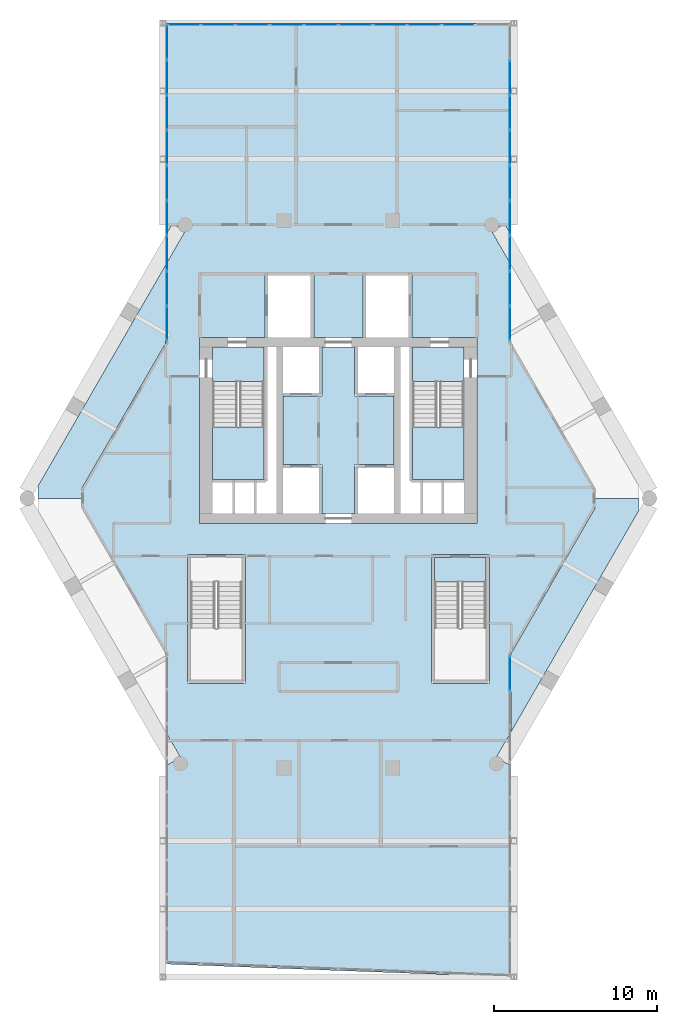
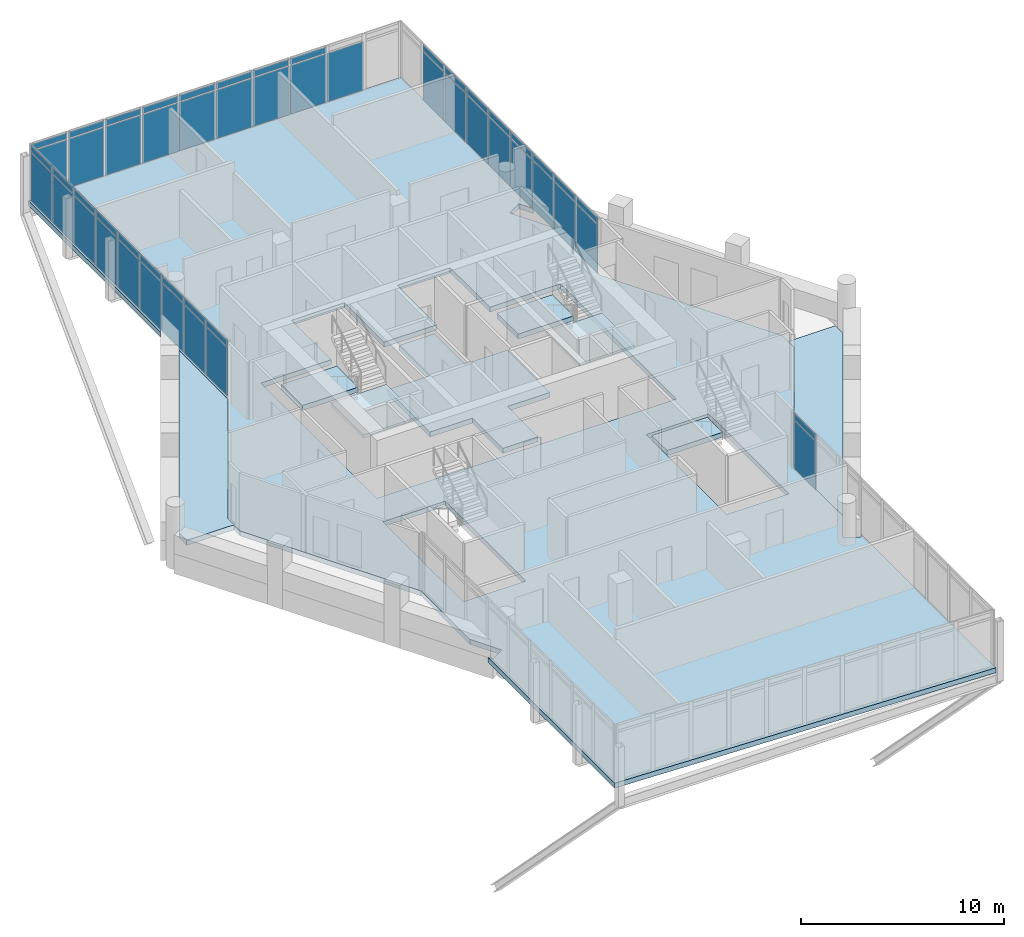
# One storey, part 27 of 34: 53 plates, 9 slabs, 6 elements without a shape of their own.
"""IFC4 building model written with IfcOpenShell, lengths in metres."""

from ifc_helpers import new_model, si_unit, direction, frame, origin, origin_2d, place, context, subcontext, project, spatial, polyline, rectangle, outline, extrude, material, layer, layer_set, type_object, element, aggregate, save


model = new_model("IFC4")

# Units and contexts
model_context = context("Model", 3, precision=1e-05, world=origin(), true_north=direction((0.0, 1.0)))
body_context = subcontext(model_context, "Body", "Model", "MODEL_VIEW")
ifc_project = project(units=[si_unit("LENGTHUNIT", "METRE"), si_unit("AREAUNIT", "SQUARE_METRE"), si_unit("VOLUMEUNIT", "CUBIC_METRE"), si_unit("PLANEANGLEUNIT", "RADIAN"), si_unit("MASSUNIT", "GRAM", prefix="KILO")], contexts=[model_context])

# Site, building, storey
site_placement = place(None, origin())
site = spatial("IfcSite", under=ifc_project, at=site_placement, CompositionType="ELEMENT")
building_placement = place(site_placement, origin())
building = spatial("IfcBuilding", under=site, at=building_placement, Name="Ostrander Bayou Hotel Tower", CompositionType="ELEMENT")
storey_placement = place(building_placement, frame((0.0, 0.0, 222.0)))
storey = spatial("IfcBuildingStorey", under=building, at=storey_placement, Name="L55", CompositionType="ELEMENT", Elevation=222.0)

# Curtain wall, plates
ifc_material_1 = material(Name="Aluminium and clear glass", Category="aluminium")
curtain_wall_type = type_object("IfcCurtainWallType", Name="CW-BAR glazed wall", PredefinedType="NOTDEFINED", material=ifc_material_1)
curtain_wall_1_placement = place(storey_placement, origin())
curtain_wall_1 = element("IfcCurtainWall", 1, at=curtain_wall_1_placement, inside=storey, type_object=curtain_wall_type, Name="CW-BAR L55:SB5S:W", PredefinedType="NOTDEFINED")
ifc_material_2 = material(Name="Clear laminated glass", Category="glass")
ifc_layer_1 = layer(ifc_material_2, 0.028076171875)
ifc_layer_set_1 = layer_set([ifc_layer_1], Name="CW-BR glazing panel 28 mm")
plate_type = type_object("IfcPlateType", Name="CW-BR glazing panel 28 mm", PredefinedType="CURTAIN_PANEL", material=ifc_layer_set_1)
plate_1_placement = place(storey_placement, frame((10.51220703125, -10.896484375, 0.06005859375), z_axis=(0.0, 0.0, 1.0), x_axis=(0.0, -1.0, 0.0)))
plate_1 = element("IfcPlate", 2, at=plate_1_placement, type_object=plate_type, Name="CW-BAR panel 1.1", PredefinedType="CURTAIN_PANEL", context=body_context, shape_type="SweptSolid", body=[
    extrude(rectangle(XDim=2.08837890625, YDim=0.028076171875, at=origin_2d()), origin(), (0.0, 0.0, 1.0), 2.909912109375),
])
plate_2_placement = place(storey_placement, frame((10.51220703125, -10.896484375, 3.02978515625), z_axis=(0.0, 0.0, 1.0), x_axis=(0.0, -1.0, 0.0)))
plate_2 = element("IfcPlate", 3, at=plate_2_placement, type_object=plate_type, Name="CW-BAR panel 1.2", PredefinedType="CURTAIN_PANEL", context=body_context, shape_type="SweptSolid", body=[
    extrude(rectangle(XDim=2.08837890625, YDim=0.028076171875, at=origin_2d()), origin(), (0.0, 0.0, 1.0), 0.360107421875),
])
aggregate(curtain_wall_1, [plate_1, plate_2])

curtain_wall_2_placement = place(storey_placement, origin())
curtain_wall_2 = element("IfcCurtainWall", 4, at=curtain_wall_2_placement, inside=storey, type_object=curtain_wall_type, Name="CW-BAR L55:SB5N:E", PredefinedType="NOTDEFINED")
plate_3_placement = place(storey_placement, frame((-10.51220703125, 10.557861328125, 0.06005859375), z_axis=(0.0, 0.0, 1.0), x_axis=(0.0, 1.0, 0.0)))
plate_3 = element("IfcPlate", 5, at=plate_3_placement, type_object=plate_type, Name="CW-BAR panel 1.1", PredefinedType="CURTAIN_PANEL", context=body_context, shape_type="SweptSolid", body=[
    extrude(rectangle(XDim=2.065673828125, YDim=0.028076171875, at=origin_2d()), origin(), (0.0, 0.0, 1.0), 2.909912109375),
])
plate_4_placement = place(storey_placement, frame((-10.51220703125, 10.557861328125, 3.02978515625), z_axis=(0.0, 0.0, 1.0), x_axis=(0.0, 1.0, 0.0)))
plate_4 = element("IfcPlate", 6, at=plate_4_placement, type_object=plate_type, Name="CW-BAR panel 1.2", PredefinedType="CURTAIN_PANEL", context=body_context, shape_type="SweptSolid", body=[
    extrude(rectangle(XDim=2.065673828125, YDim=0.028076171875, at=origin_2d()), origin(), (0.0, 0.0, 1.0), 0.360107421875),
])
plate_5_placement = place(storey_placement, frame((-10.51220703125, 12.698486328125, 0.06005859375), z_axis=(0.0, 0.0, 1.0), x_axis=(0.0, 1.0, 0.0)))
plate_5 = element("IfcPlate", 7, at=plate_5_placement, type_object=plate_type, Name="CW-BAR panel 2.1", PredefinedType="CURTAIN_PANEL", context=body_context, shape_type="SweptSolid", body=[
    extrude(rectangle(XDim=2.095703125, YDim=0.028076171875, at=origin_2d()), origin(), (0.0, 0.0, 1.0), 2.909912109375),
])
plate_6_placement = place(storey_placement, frame((-10.51220703125, 12.698486328125, 3.02978515625), z_axis=(0.0, 0.0, 1.0), x_axis=(0.0, 1.0, 0.0)))
plate_6 = element("IfcPlate", 8, at=plate_6_placement, type_object=plate_type, Name="CW-BAR panel 2.2", PredefinedType="CURTAIN_PANEL", context=body_context, shape_type="SweptSolid", body=[
    extrude(rectangle(XDim=2.095703125, YDim=0.028076171875, at=origin_2d()), origin(), (0.0, 0.0, 1.0), 0.360107421875),
])
plate_7_placement = place(storey_placement, frame((-10.51220703125, 14.854248046875, 0.06005859375), z_axis=(0.0, 0.0, 1.0), x_axis=(0.0, 1.0, 0.0)))
plate_7 = element("IfcPlate", 9, at=plate_7_placement, type_object=plate_type, Name="CW-BAR panel 3.1", PredefinedType="CURTAIN_PANEL", context=body_context, shape_type="SweptSolid", body=[
    extrude(rectangle(XDim=2.095703125, YDim=0.028076171875, at=origin_2d()), origin(), (0.0, 0.0, 1.0), 2.909912109375),
])
plate_8_placement = place(storey_placement, frame((-10.51220703125, 14.854248046875, 3.02978515625), z_axis=(0.0, 0.0, 1.0), x_axis=(0.0, 1.0, 0.0)))
plate_8 = element("IfcPlate", 10, at=plate_8_placement, type_object=plate_type, Name="CW-BAR panel 3.2", PredefinedType="CURTAIN_PANEL", context=body_context, shape_type="SweptSolid", body=[
    extrude(rectangle(XDim=2.095703125, YDim=0.028076171875, at=origin_2d()), origin(), (0.0, 0.0, 1.0), 0.360107421875),
])
plate_9_placement = place(storey_placement, frame((-10.51220703125, 17.010009765625, 0.06005859375), z_axis=(0.0, 0.0, 1.0), x_axis=(0.0, 1.0, 0.0)))
plate_9 = element("IfcPlate", 11, at=plate_9_placement, type_object=plate_type, Name="CW-BAR panel 4.1", PredefinedType="CURTAIN_PANEL", context=body_context, shape_type="SweptSolid", body=[
    extrude(rectangle(XDim=2.095703125, YDim=0.028076171875, at=origin_2d()), origin(), (0.0, 0.0, 1.0), 2.909912109375),
])
plate_10_placement = place(storey_placement, frame((-10.51220703125, 17.010009765625, 3.02978515625), z_axis=(0.0, 0.0, 1.0), x_axis=(0.0, 1.0, 0.0)))
plate_10 = element("IfcPlate", 12, at=plate_10_placement, type_object=plate_type, Name="CW-BAR panel 4.2", PredefinedType="CURTAIN_PANEL", context=body_context, shape_type="SweptSolid", body=[
    extrude(rectangle(XDim=2.095703125, YDim=0.028076171875, at=origin_2d()), origin(), (0.0, 0.0, 1.0), 0.360107421875),
])
plate_11_placement = place(storey_placement, frame((-10.51220703125, 19.165771484375, 0.06005859375), z_axis=(0.0, 0.0, 1.0), x_axis=(0.0, 1.0, 0.0)))
plate_11 = element("IfcPlate", 13, at=plate_11_placement, type_object=plate_type, Name="CW-BAR panel 5.1", PredefinedType="CURTAIN_PANEL", context=body_context, shape_type="SweptSolid", body=[
    extrude(rectangle(XDim=2.095703125, YDim=0.028076171875, at=origin_2d()), origin(), (0.0, 0.0, 1.0), 2.909912109375),
])
plate_12_placement = place(storey_placement, frame((-10.51220703125, 19.165771484375, 3.02978515625), z_axis=(0.0, 0.0, 1.0), x_axis=(0.0, 1.0, 0.0)))
plate_12 = element("IfcPlate", 14, at=plate_12_placement, type_object=plate_type, Name="CW-BAR panel 5.2", PredefinedType="CURTAIN_PANEL", context=body_context, shape_type="SweptSolid", body=[
    extrude(rectangle(XDim=2.095703125, YDim=0.028076171875, at=origin_2d()), origin(), (0.0, 0.0, 1.0), 0.360107421875),
])
plate_13_placement = place(storey_placement, frame((-10.51220703125, 21.321533203125, 0.06005859375), z_axis=(0.0, 0.0, 1.0), x_axis=(0.0, 1.0, 0.0)))
plate_13 = element("IfcPlate", 15, at=plate_13_placement, type_object=plate_type, Name="CW-BAR panel 6.1", PredefinedType="CURTAIN_PANEL", context=body_context, shape_type="SweptSolid", body=[
    extrude(rectangle(XDim=2.095703125, YDim=0.028076171875, at=origin_2d()), origin(), (0.0, 0.0, 1.0), 2.909912109375),
])
plate_14_placement = place(storey_placement, frame((-10.51220703125, 21.321533203125, 3.02978515625), z_axis=(0.0, 0.0, 1.0), x_axis=(0.0, 1.0, 0.0)))
plate_14 = element("IfcPlate", 16, at=plate_14_placement, type_object=plate_type, Name="CW-BAR panel 6.2", PredefinedType="CURTAIN_PANEL", context=body_context, shape_type="SweptSolid", body=[
    extrude(rectangle(XDim=2.095703125, YDim=0.028076171875, at=origin_2d()), origin(), (0.0, 0.0, 1.0), 0.360107421875),
])
plate_15_placement = place(storey_placement, frame((-10.51220703125, 23.477294921875, 0.06005859375), z_axis=(0.0, 0.0, 1.0), x_axis=(0.0, 1.0, 0.0)))
plate_15 = element("IfcPlate", 17, at=plate_15_placement, type_object=plate_type, Name="CW-BAR panel 7.1", PredefinedType="CURTAIN_PANEL", context=body_context, shape_type="SweptSolid", body=[
    extrude(rectangle(XDim=2.095703125, YDim=0.028076171875, at=origin_2d()), origin(), (0.0, 0.0, 1.0), 2.909912109375),
])
plate_16_placement = place(storey_placement, frame((-10.51220703125, 23.477294921875, 3.02978515625), z_axis=(0.0, 0.0, 1.0), x_axis=(0.0, 1.0, 0.0)))
plate_16 = element("IfcPlate", 18, at=plate_16_placement, type_object=plate_type, Name="CW-BAR panel 7.2", PredefinedType="CURTAIN_PANEL", context=body_context, shape_type="SweptSolid", body=[
    extrude(rectangle(XDim=2.095703125, YDim=0.028076171875, at=origin_2d()), origin(), (0.0, 0.0, 1.0), 0.360107421875),
])
plate_17_placement = place(storey_placement, frame((-10.51220703125, 25.633056640625, 0.06005859375), z_axis=(0.0, 0.0, 1.0), x_axis=(0.0, 1.0, 0.0)))
plate_17 = element("IfcPlate", 19, at=plate_17_placement, type_object=plate_type, Name="CW-BAR panel 8.1", PredefinedType="CURTAIN_PANEL", context=body_context, shape_type="SweptSolid", body=[
    extrude(rectangle(XDim=2.095703125, YDim=0.028076171875, at=origin_2d()), origin(), (0.0, 0.0, 1.0), 2.909912109375),
])
plate_18_placement = place(storey_placement, frame((-10.51220703125, 25.633056640625, 3.02978515625), z_axis=(0.0, 0.0, 1.0), x_axis=(0.0, 1.0, 0.0)))
plate_18 = element("IfcPlate", 20, at=plate_18_placement, type_object=plate_type, Name="CW-BAR panel 8.2", PredefinedType="CURTAIN_PANEL", context=body_context, shape_type="SweptSolid", body=[
    extrude(rectangle(XDim=2.095703125, YDim=0.028076171875, at=origin_2d()), origin(), (0.0, 0.0, 1.0), 0.360107421875),
])
plate_19_placement = place(storey_placement, frame((-10.51220703125, 27.773681640625, 0.06005859375), z_axis=(0.0, 0.0, 1.0), x_axis=(0.0, 1.0, 0.0)))
plate_19 = element("IfcPlate", 21, at=plate_19_placement, type_object=plate_type, Name="CW-BAR panel 9.1", PredefinedType="CURTAIN_PANEL", context=body_context, shape_type="SweptSolid", body=[
    extrude(rectangle(XDim=2.065673828125, YDim=0.028076171875, at=origin_2d()), origin(), (0.0, 0.0, 1.0), 2.909912109375),
])
plate_20_placement = place(storey_placement, frame((-10.51220703125, 27.773681640625, 3.02978515625), z_axis=(0.0, 0.0, 1.0), x_axis=(0.0, 1.0, 0.0)))
plate_20 = element("IfcPlate", 22, at=plate_20_placement, type_object=plate_type, Name="CW-BAR panel 9.2", PredefinedType="CURTAIN_PANEL", context=body_context, shape_type="SweptSolid", body=[
    extrude(rectangle(XDim=2.065673828125, YDim=0.028076171875, at=origin_2d()), origin(), (0.0, 0.0, 1.0), 0.360107421875),
])
aggregate(curtain_wall_2, [plate_3, plate_4, plate_5, plate_6, plate_7, plate_8, plate_9, plate_10, plate_11, plate_12, plate_13, plate_14, plate_15, plate_16, plate_17, plate_18, plate_19, plate_20])

curtain_wall_3_placement = place(storey_placement, origin())
curtain_wall_3 = element("IfcCurtainWall", 23, at=curtain_wall_3_placement, inside=storey, type_object=curtain_wall_type, Name="CW-BAR L55:SB5N:T", PredefinedType="NOTDEFINED")
plate_21_placement = place(storey_placement, frame((-9.446044921875, 28.86669921875, 0.06005859375), z_axis=(0.0, 0.0, 1.0), x_axis=(1.0, 0.0, 0.0)))
plate_21 = element("IfcPlate", 24, at=plate_21_placement, type_object=plate_type, Name="CW-BAR panel 1.1", PredefinedType="CURTAIN_PANEL", context=body_context, shape_type="SweptSolid", body=[
    extrude(rectangle(XDim=2.012451171875, YDim=0.028076171875, at=origin_2d()), origin(), (0.0, 0.0, 1.0), 2.909912109375),
])
plate_22_placement = place(storey_placement, frame((-9.446044921875, 28.86669921875, 3.02978515625), z_axis=(0.0, 0.0, 1.0), x_axis=(1.0, 0.0, 0.0)))
plate_22 = element("IfcPlate", 25, at=plate_22_placement, type_object=plate_type, Name="CW-BAR panel 1.2", PredefinedType="CURTAIN_PANEL", context=body_context, shape_type="SweptSolid", body=[
    extrude(rectangle(XDim=2.012451171875, YDim=0.028076171875, at=origin_2d()), origin(), (0.0, 0.0, 1.0), 0.360107421875),
])
plate_23_placement = place(storey_placement, frame((-7.358642578125, 28.86669921875, 0.06005859375), z_axis=(0.0, 0.0, 1.0), x_axis=(1.0, 0.0, 0.0)))
plate_23 = element("IfcPlate", 26, at=plate_23_placement, type_object=plate_type, Name="CW-BAR panel 2.1", PredefinedType="CURTAIN_PANEL", context=body_context, shape_type="SweptSolid", body=[
    extrude(rectangle(XDim=2.04248046875, YDim=0.028076171875, at=origin_2d()), origin(), (0.0, 0.0, 1.0), 2.909912109375),
])
plate_24_placement = place(storey_placement, frame((-7.358642578125, 28.86669921875, 3.02978515625), z_axis=(0.0, 0.0, 1.0), x_axis=(1.0, 0.0, 0.0)))
plate_24 = element("IfcPlate", 27, at=plate_24_placement, type_object=plate_type, Name="CW-BAR panel 2.2", PredefinedType="CURTAIN_PANEL", context=body_context, shape_type="SweptSolid", body=[
    extrude(rectangle(XDim=2.04248046875, YDim=0.028076171875, at=origin_2d()), origin(), (0.0, 0.0, 1.0), 0.360107421875),
])
plate_25_placement = place(storey_placement, frame((-5.256103515625, 28.86669921875, 0.06005859375), z_axis=(0.0, 0.0, 1.0), x_axis=(1.0, 0.0, 0.0)))
plate_25 = element("IfcPlate", 28, at=plate_25_placement, type_object=plate_type, Name="CW-BAR panel 3.1", PredefinedType="CURTAIN_PANEL", context=body_context, shape_type="SweptSolid", body=[
    extrude(rectangle(XDim=2.04248046875, YDim=0.028076171875, at=origin_2d()), origin(), (0.0, 0.0, 1.0), 2.909912109375),
])
plate_26_placement = place(storey_placement, frame((-5.256103515625, 28.86669921875, 3.02978515625), z_axis=(0.0, 0.0, 1.0), x_axis=(1.0, 0.0, 0.0)))
plate_26 = element("IfcPlate", 29, at=plate_26_placement, type_object=plate_type, Name="CW-BAR panel 3.2", PredefinedType="CURTAIN_PANEL", context=body_context, shape_type="SweptSolid", body=[
    extrude(rectangle(XDim=2.04248046875, YDim=0.028076171875, at=origin_2d()), origin(), (0.0, 0.0, 1.0), 0.360107421875),
])
plate_27_placement = place(storey_placement, frame((-3.153564453125, 28.86669921875, 0.06005859375), z_axis=(0.0, 0.0, 1.0), x_axis=(1.0, 0.0, 0.0)))
plate_27 = element("IfcPlate", 30, at=plate_27_placement, type_object=plate_type, Name="CW-BAR panel 4.1", PredefinedType="CURTAIN_PANEL", context=body_context, shape_type="SweptSolid", body=[
    extrude(rectangle(XDim=2.04248046875, YDim=0.028076171875, at=origin_2d()), origin(), (0.0, 0.0, 1.0), 2.909912109375),
])
plate_28_placement = place(storey_placement, frame((-3.153564453125, 28.86669921875, 3.02978515625), z_axis=(0.0, 0.0, 1.0), x_axis=(1.0, 0.0, 0.0)))
plate_28 = element("IfcPlate", 31, at=plate_28_placement, type_object=plate_type, Name="CW-BAR panel 4.2", PredefinedType="CURTAIN_PANEL", context=body_context, shape_type="SweptSolid", body=[
    extrude(rectangle(XDim=2.04248046875, YDim=0.028076171875, at=origin_2d()), origin(), (0.0, 0.0, 1.0), 0.360107421875),
])
plate_29_placement = place(storey_placement, frame((-1.05126953125, 28.86669921875, 0.06005859375), z_axis=(0.0, 0.0, 1.0), x_axis=(1.0, 0.0, 0.0)))
plate_29 = element("IfcPlate", 32, at=plate_29_placement, type_object=plate_type, Name="CW-BAR panel 5.1", PredefinedType="CURTAIN_PANEL", context=body_context, shape_type="SweptSolid", body=[
    extrude(rectangle(XDim=2.04248046875, YDim=0.028076171875, at=origin_2d()), origin(), (0.0, 0.0, 1.0), 2.909912109375),
])
plate_30_placement = place(storey_placement, frame((-1.05126953125, 28.86669921875, 3.02978515625), z_axis=(0.0, 0.0, 1.0), x_axis=(1.0, 0.0, 0.0)))
plate_30 = element("IfcPlate", 33, at=plate_30_placement, type_object=plate_type, Name="CW-BAR panel 5.2", PredefinedType="CURTAIN_PANEL", context=body_context, shape_type="SweptSolid", body=[
    extrude(rectangle(XDim=2.04248046875, YDim=0.028076171875, at=origin_2d()), origin(), (0.0, 0.0, 1.0), 0.360107421875),
])
plate_31_placement = place(storey_placement, frame((1.05126953125, 28.86669921875, 0.06005859375), z_axis=(0.0, 0.0, 1.0), x_axis=(1.0, 0.0, 0.0)))
plate_31 = element("IfcPlate", 34, at=plate_31_placement, type_object=plate_type, Name="CW-BAR panel 6.1", PredefinedType="CURTAIN_PANEL", context=body_context, shape_type="SweptSolid", body=[
    extrude(rectangle(XDim=2.04248046875, YDim=0.028076171875, at=origin_2d()), origin(), (0.0, 0.0, 1.0), 2.909912109375),
])
plate_32_placement = place(storey_placement, frame((1.05126953125, 28.86669921875, 3.02978515625), z_axis=(0.0, 0.0, 1.0), x_axis=(1.0, 0.0, 0.0)))
plate_32 = element("IfcPlate", 35, at=plate_32_placement, type_object=plate_type, Name="CW-BAR panel 6.2", PredefinedType="CURTAIN_PANEL", context=body_context, shape_type="SweptSolid", body=[
    extrude(rectangle(XDim=2.04248046875, YDim=0.028076171875, at=origin_2d()), origin(), (0.0, 0.0, 1.0), 0.360107421875),
])
plate_33_placement = place(storey_placement, frame((3.153564453125, 28.86669921875, 0.06005859375), z_axis=(0.0, 0.0, 1.0), x_axis=(1.0, 0.0, 0.0)))
plate_33 = element("IfcPlate", 36, at=plate_33_placement, type_object=plate_type, Name="CW-BAR panel 7.1", PredefinedType="CURTAIN_PANEL", context=body_context, shape_type="SweptSolid", body=[
    extrude(rectangle(XDim=2.04248046875, YDim=0.028076171875, at=origin_2d()), origin(), (0.0, 0.0, 1.0), 2.909912109375),
])
plate_34_placement = place(storey_placement, frame((3.153564453125, 28.86669921875, 3.02978515625), z_axis=(0.0, 0.0, 1.0), x_axis=(1.0, 0.0, 0.0)))
plate_34 = element("IfcPlate", 37, at=plate_34_placement, type_object=plate_type, Name="CW-BAR panel 7.2", PredefinedType="CURTAIN_PANEL", context=body_context, shape_type="SweptSolid", body=[
    extrude(rectangle(XDim=2.04248046875, YDim=0.028076171875, at=origin_2d()), origin(), (0.0, 0.0, 1.0), 0.360107421875),
])
plate_35_placement = place(storey_placement, frame((5.256103515625, 28.86669921875, 0.06005859375), z_axis=(0.0, 0.0, 1.0), x_axis=(1.0, 0.0, 0.0)))
plate_35 = element("IfcPlate", 38, at=plate_35_placement, type_object=plate_type, Name="CW-BAR panel 8.1", PredefinedType="CURTAIN_PANEL", context=body_context, shape_type="SweptSolid", body=[
    extrude(rectangle(XDim=2.04248046875, YDim=0.028076171875, at=origin_2d()), origin(), (0.0, 0.0, 1.0), 2.909912109375),
])
plate_36_placement = place(storey_placement, frame((5.256103515625, 28.86669921875, 3.02978515625), z_axis=(0.0, 0.0, 1.0), x_axis=(1.0, 0.0, 0.0)))
plate_36 = element("IfcPlate", 39, at=plate_36_placement, type_object=plate_type, Name="CW-BAR panel 8.2", PredefinedType="CURTAIN_PANEL", context=body_context, shape_type="SweptSolid", body=[
    extrude(rectangle(XDim=2.04248046875, YDim=0.028076171875, at=origin_2d()), origin(), (0.0, 0.0, 1.0), 0.360107421875),
])
plate_37_placement = place(storey_placement, frame((7.358642578125, 28.86669921875, 0.06005859375), z_axis=(0.0, 0.0, 1.0), x_axis=(1.0, 0.0, 0.0)))
plate_37 = element("IfcPlate", 40, at=plate_37_placement, type_object=plate_type, Name="CW-BAR panel 9.1", PredefinedType="CURTAIN_PANEL", context=body_context, shape_type="SweptSolid", body=[
    extrude(rectangle(XDim=2.04248046875, YDim=0.028076171875, at=origin_2d()), origin(), (0.0, 0.0, 1.0), 2.909912109375),
])
aggregate(curtain_wall_3, [plate_21, plate_22, plate_23, plate_24, plate_25, plate_26, plate_27, plate_28, plate_29, plate_30, plate_31, plate_32, plate_33, plate_34, plate_35, plate_36, plate_37])

curtain_wall_4_placement = place(storey_placement, origin())
curtain_wall_4 = element("IfcCurtainWall", 41, at=curtain_wall_4_placement, inside=storey, type_object=curtain_wall_type, Name="CW-BAR L55:SB5N:W", PredefinedType="NOTDEFINED")
plate_38_placement = place(storey_placement, frame((10.51220703125, 10.557861328125, 0.06005859375), z_axis=(0.0, 0.0, 1.0), x_axis=(0.0, 1.0, 0.0)))
plate_38 = element("IfcPlate", 42, at=plate_38_placement, type_object=plate_type, Name="CW-BAR panel 1.1", PredefinedType="CURTAIN_PANEL", context=body_context, shape_type="SweptSolid", body=[
    extrude(rectangle(XDim=2.065673828125, YDim=0.028076171875, at=origin_2d()), origin(), (0.0, 0.0, 1.0), 2.909912109375),
])
plate_39_placement = place(storey_placement, frame((10.51220703125, 10.557861328125, 3.02978515625), z_axis=(0.0, 0.0, 1.0), x_axis=(0.0, 1.0, 0.0)))
plate_39 = element("IfcPlate", 43, at=plate_39_placement, type_object=plate_type, Name="CW-BAR panel 1.2", PredefinedType="CURTAIN_PANEL", context=body_context, shape_type="SweptSolid", body=[
    extrude(rectangle(XDim=2.065673828125, YDim=0.028076171875, at=origin_2d()), origin(), (0.0, 0.0, 1.0), 0.360107421875),
])
plate_40_placement = place(storey_placement, frame((10.51220703125, 12.698486328125, 0.06005859375), z_axis=(0.0, 0.0, 1.0), x_axis=(0.0, 1.0, 0.0)))
plate_40 = element("IfcPlate", 44, at=plate_40_placement, type_object=plate_type, Name="CW-BAR panel 2.1", PredefinedType="CURTAIN_PANEL", context=body_context, shape_type="SweptSolid", body=[
    extrude(rectangle(XDim=2.095703125, YDim=0.028076171875, at=origin_2d()), origin(), (0.0, 0.0, 1.0), 2.909912109375),
])
plate_41_placement = place(storey_placement, frame((10.51220703125, 12.698486328125, 3.02978515625), z_axis=(0.0, 0.0, 1.0), x_axis=(0.0, 1.0, 0.0)))
plate_41 = element("IfcPlate", 45, at=plate_41_placement, type_object=plate_type, Name="CW-BAR panel 2.2", PredefinedType="CURTAIN_PANEL", context=body_context, shape_type="SweptSolid", body=[
    extrude(rectangle(XDim=2.095703125, YDim=0.028076171875, at=origin_2d()), origin(), (0.0, 0.0, 1.0), 0.360107421875),
])
plate_42_placement = place(storey_placement, frame((10.51220703125, 14.854248046875, 0.06005859375), z_axis=(0.0, 0.0, 1.0), x_axis=(0.0, 1.0, 0.0)))
plate_42 = element("IfcPlate", 46, at=plate_42_placement, type_object=plate_type, Name="CW-BAR panel 3.1", PredefinedType="CURTAIN_PANEL", context=body_context, shape_type="SweptSolid", body=[
    extrude(rectangle(XDim=2.095703125, YDim=0.028076171875, at=origin_2d()), origin(), (0.0, 0.0, 1.0), 2.909912109375),
])
plate_43_placement = place(storey_placement, frame((10.51220703125, 14.854248046875, 3.02978515625), z_axis=(0.0, 0.0, 1.0), x_axis=(0.0, 1.0, 0.0)))
plate_43 = element("IfcPlate", 47, at=plate_43_placement, type_object=plate_type, Name="CW-BAR panel 3.2", PredefinedType="CURTAIN_PANEL", context=body_context, shape_type="SweptSolid", body=[
    extrude(rectangle(XDim=2.095703125, YDim=0.028076171875, at=origin_2d()), origin(), (0.0, 0.0, 1.0), 0.360107421875),
])
plate_44_placement = place(storey_placement, frame((10.51220703125, 17.010009765625, 0.06005859375), z_axis=(0.0, 0.0, 1.0), x_axis=(0.0, 1.0, 0.0)))
plate_44 = element("IfcPlate", 48, at=plate_44_placement, type_object=plate_type, Name="CW-BAR panel 4.1", PredefinedType="CURTAIN_PANEL", context=body_context, shape_type="SweptSolid", body=[
    extrude(rectangle(XDim=2.095703125, YDim=0.028076171875, at=origin_2d()), origin(), (0.0, 0.0, 1.0), 2.909912109375),
])
plate_45_placement = place(storey_placement, frame((10.51220703125, 17.010009765625, 3.02978515625), z_axis=(0.0, 0.0, 1.0), x_axis=(0.0, 1.0, 0.0)))
plate_45 = element("IfcPlate", 49, at=plate_45_placement, type_object=plate_type, Name="CW-BAR panel 4.2", PredefinedType="CURTAIN_PANEL", context=body_context, shape_type="SweptSolid", body=[
    extrude(rectangle(XDim=2.095703125, YDim=0.028076171875, at=origin_2d()), origin(), (0.0, 0.0, 1.0), 0.360107421875),
])
plate_46_placement = place(storey_placement, frame((10.51220703125, 19.165771484375, 0.06005859375), z_axis=(0.0, 0.0, 1.0), x_axis=(0.0, 1.0, 0.0)))
plate_46 = element("IfcPlate", 50, at=plate_46_placement, type_object=plate_type, Name="CW-BAR panel 5.1", PredefinedType="CURTAIN_PANEL", context=body_context, shape_type="SweptSolid", body=[
    extrude(rectangle(XDim=2.095703125, YDim=0.028076171875, at=origin_2d()), origin(), (0.0, 0.0, 1.0), 2.909912109375),
])
plate_47_placement = place(storey_placement, frame((10.51220703125, 19.165771484375, 3.02978515625), z_axis=(0.0, 0.0, 1.0), x_axis=(0.0, 1.0, 0.0)))
plate_47 = element("IfcPlate", 51, at=plate_47_placement, type_object=plate_type, Name="CW-BAR panel 5.2", PredefinedType="CURTAIN_PANEL", context=body_context, shape_type="SweptSolid", body=[
    extrude(rectangle(XDim=2.095703125, YDim=0.028076171875, at=origin_2d()), origin(), (0.0, 0.0, 1.0), 0.360107421875),
])
plate_48_placement = place(storey_placement, frame((10.51220703125, 21.321533203125, 0.06005859375), z_axis=(0.0, 0.0, 1.0), x_axis=(0.0, 1.0, 0.0)))
plate_48 = element("IfcPlate", 52, at=plate_48_placement, type_object=plate_type, Name="CW-BAR panel 6.1", PredefinedType="CURTAIN_PANEL", context=body_context, shape_type="SweptSolid", body=[
    extrude(rectangle(XDim=2.095703125, YDim=0.028076171875, at=origin_2d()), origin(), (0.0, 0.0, 1.0), 2.909912109375),
])
plate_49_placement = place(storey_placement, frame((10.51220703125, 21.321533203125, 3.02978515625), z_axis=(0.0, 0.0, 1.0), x_axis=(0.0, 1.0, 0.0)))
plate_49 = element("IfcPlate", 53, at=plate_49_placement, type_object=plate_type, Name="CW-BAR panel 6.2", PredefinedType="CURTAIN_PANEL", context=body_context, shape_type="SweptSolid", body=[
    extrude(rectangle(XDim=2.095703125, YDim=0.028076171875, at=origin_2d()), origin(), (0.0, 0.0, 1.0), 0.360107421875),
])
plate_50_placement = place(storey_placement, frame((10.51220703125, 23.477294921875, 0.06005859375), z_axis=(0.0, 0.0, 1.0), x_axis=(0.0, 1.0, 0.0)))
plate_50 = element("IfcPlate", 54, at=plate_50_placement, type_object=plate_type, Name="CW-BAR panel 7.1", PredefinedType="CURTAIN_PANEL", context=body_context, shape_type="SweptSolid", body=[
    extrude(rectangle(XDim=2.095703125, YDim=0.028076171875, at=origin_2d()), origin(), (0.0, 0.0, 1.0), 2.909912109375),
])
plate_51_placement = place(storey_placement, frame((10.51220703125, 23.477294921875, 3.02978515625), z_axis=(0.0, 0.0, 1.0), x_axis=(0.0, 1.0, 0.0)))
plate_51 = element("IfcPlate", 55, at=plate_51_placement, type_object=plate_type, Name="CW-BAR panel 7.2", PredefinedType="CURTAIN_PANEL", context=body_context, shape_type="SweptSolid", body=[
    extrude(rectangle(XDim=2.095703125, YDim=0.028076171875, at=origin_2d()), origin(), (0.0, 0.0, 1.0), 0.360107421875),
])
plate_52_placement = place(storey_placement, frame((10.51220703125, 25.633056640625, 0.06005859375), z_axis=(0.0, 0.0, 1.0), x_axis=(0.0, 1.0, 0.0)))
plate_52 = element("IfcPlate", 56, at=plate_52_placement, type_object=plate_type, Name="CW-BAR panel 8.1", PredefinedType="CURTAIN_PANEL", context=body_context, shape_type="SweptSolid", body=[
    extrude(rectangle(XDim=2.095703125, YDim=0.028076171875, at=origin_2d()), origin(), (0.0, 0.0, 1.0), 2.909912109375),
])
plate_53_placement = place(storey_placement, frame((10.51220703125, 25.633056640625, 3.02978515625), z_axis=(0.0, 0.0, 1.0), x_axis=(0.0, 1.0, 0.0)))
plate_53 = element("IfcPlate", 57, at=plate_53_placement, type_object=plate_type, Name="CW-BAR panel 8.2", PredefinedType="CURTAIN_PANEL", context=body_context, shape_type="SweptSolid", body=[
    extrude(rectangle(XDim=2.095703125, YDim=0.028076171875, at=origin_2d()), origin(), (0.0, 0.0, 1.0), 0.360107421875),
])
aggregate(curtain_wall_4, [plate_38, plate_39, plate_40, plate_41, plate_42, plate_43, plate_44, plate_45, plate_46, plate_47, plate_48, plate_49, plate_50, plate_51, plate_52, plate_53])

# Slabs
ifc_material_3 = material(Name="Concrete f'c 40 MPa", Category="concrete")
ifc_layer_2 = layer(ifc_material_3, 0.300048828125)
ifc_layer_set_2 = layer_set([ifc_layer_2], Name="SL1 floor slab 300 mm f'c 40 MPa")
slab_type_1 = type_object("IfcSlabType", Name="SL1 floor slab 300 mm f'c 40 MPa", PredefinedType="FLOOR", material=ifc_layer_set_2)
slab_1_placement = place(storey_placement, frame((0.0, 0.0, -0.300048828125)))
element("IfcSlab", 58, at=slab_1_placement, inside=storey, type_object=slab_type_1, Name="SL1 L55 1", PredefinedType="FLOOR", context=body_context, shape_type="SweptSolid", body=[
    extrude(outline(polyline([(-10.456298828125, -16.489501953125), (-9.6767578125, -16.039306640625), (-10.587158203125, -14.46240234375), (-10.587158203125, -9.662353515625), (-15.724853515625, -0.763671875), (-15.724853515625, 0.436279296875), (-10.587158203125, 9.335205078125), (-10.587158203125, 14.135009765625), (-9.393310546875, 16.202880859375), (-10.172607421875, 16.653076171875), (-10.587158203125, 15.93505859375), (-10.587158203125, 28.966552734375), (10.587158203125, 28.966552734375), (10.587158203125, 15.93505859375), (10.172607421875, 16.653076171875), (9.393310546875, 16.202880859375), (10.587158203125, 14.135009765625), (10.587158203125, 9.335205078125), (15.724853515625, 0.436279296875), (15.724853515625, -0.763671875), (10.587158203125, -9.662353515625), (10.587158203125, -14.46240234375), (9.6767578125, -16.039306640625), (10.456298828125, -16.489501953125), (10.587158203125, -16.262451171875), (10.587158203125, -29.5), (-10.587158203125, -28.699951171875), (-10.587158203125, -16.262451171875), (-10.456298828125, -16.489501953125)]), holes=[polyline([(9.25, -3.60009765625), (5.699951171875, -3.60009765625), (5.699951171875, -11.5), (9.25, -11.5), (9.25, -3.60009765625)]), polyline([(-8.5, -1.699951171875), (8.5, -1.699951171875), (8.5, 9.699951171875), (4.5, 9.699951171875), (4.5, 13.60009765625), (1.5, 13.60009765625), (1.5, 9.699951171875), (-1.5, 9.699951171875), (-1.5, 13.60009765625), (-4.5, 13.60009765625), (-4.5, 9.699951171875), (-8.5, 9.699951171875), (-8.5, -1.699951171875)]), polyline([(-5.699951171875, -3.60009765625), (-9.25, -3.60009765625), (-9.25, -11.5), (-5.699951171875, -11.5), (-5.699951171875, -3.60009765625)])]), origin(), (0.0, 0.0, 1.0), 0.300048828125),
])
slab_2_placement = place(storey_placement, frame((0.0, 0.0, -0.300048828125)))
element("IfcSlab", 59, at=slab_2_placement, inside=storey, type_object=slab_type_1, Name="cslab:L55:001", PredefinedType="FLOOR", context=body_context, shape_type="SweptSolid", body=[
    extrude(outline(polyline([(-3.39990234375, 6.10009765625), (-1.0, 6.10009765625), (-1.0, 9.10009765625), (1.0, 9.10009765625), (1.0, 6.10009765625), (3.39990234375, 6.10009765625), (3.39990234375, 1.89990234375), (1.0, 1.89990234375), (1.0, -1.10009765625), (-1.0, -1.10009765625), (-1.0, 1.89990234375), (-3.39990234375, 1.89990234375), (-3.39990234375, 6.10009765625)])), origin(), (0.0, 0.0, 1.0), 0.300048828125),
])
slab_3_placement = place(storey_placement, frame((0.0, 0.0, -0.300048828125)))
element("IfcSlab", 60, at=slab_3_placement, inside=storey, type_object=slab_type_1, Name="cslab:L55:002", PredefinedType="FLOOR", context=body_context, shape_type="SweptSolid", body=[
    extrude(outline(polyline([(-4.550048828125, 7.0), (-4.550048828125, 9.10009765625), (-7.699951171875, 9.10009765625), (-7.699951171875, 7.0), (-4.550048828125, 7.0)])), origin(), (0.0, 0.0, 1.0), 0.300048828125),
])
slab_4_placement = place(storey_placement, frame((0.0, 0.0, -0.300048828125)))
element("IfcSlab", 61, at=slab_4_placement, inside=storey, type_object=slab_type_1, Name="cslab:L55:003", PredefinedType="FLOOR", context=body_context, shape_type="SweptSolid", body=[
    extrude(outline(polyline([(7.699951171875, 7.0), (7.699951171875, 9.10009765625), (4.550048828125, 9.10009765625), (4.550048828125, 7.0), (7.699951171875, 7.0)])), origin(), (0.0, 0.0, 1.0), 0.300048828125),
])
slab_5_placement = place(storey_placement, frame((0.0, 0.0, -0.300048828125)))
element("IfcSlab", 62, at=slab_5_placement, inside=storey, type_object=slab_type_1, Name="cslab:L55:004", PredefinedType="FLOOR", context=body_context, shape_type="SweptSolid", body=[
    extrude(outline(polyline([(9.050048828125, -5.300048828125), (9.050048828125, -3.800048828125), (5.89990234375, -3.800048828125), (5.89990234375, -5.300048828125), (9.050048828125, -5.300048828125)])), origin(), (0.0, 0.0, 1.0), 0.300048828125),
])
ifc_material_4 = material(Name="Concrete f'c 40 MPa", Category="concrete")
ifc_layer_3 = layer(ifc_material_4, 0.300048828125)
ifc_layer_set_3 = layer_set([ifc_layer_3], Name="SL4 loggia slab 300 mm f'c 40 MPa")
slab_type_2 = type_object("IfcSlabType", Name="SL4 loggia slab 300 mm f'c 40 MPa", PredefinedType="FLOOR", material=ifc_layer_set_3)
slab_6_placement = place(storey_placement, frame((0.0, 0.0, -0.300048828125)))
element("IfcSlab", 63, at=slab_6_placement, inside=storey, type_object=slab_type_2, Name="SL4 LOGGIA L55 NW 1", PredefinedType="FLOOR", context=body_context, shape_type="SweptSolid", body=[
    extrude(outline(polyline([(-10.587158203125, 14.135009765625), (-10.587158203125, 9.335205078125), (-15.724853515625, 0.436279296875), (-15.724853515625, -0.163818359375), (-18.40966796875, -0.163818359375), (-18.40966796875, 0.586181640625), (-15.935791015625, 4.87109375), (-15.515869140625, 5.5986328125), (-12.6064453125, 10.6376953125), (-12.186279296875, 11.365234375), (-10.587158203125, 14.135009765625)])), origin(), (0.0, 0.0, 1.0), 0.300048828125),
])
slab_7_placement = place(storey_placement, frame((0.0, 0.0, -0.300048828125)))
element("IfcSlab", 64, at=slab_7_placement, inside=storey, type_object=slab_type_2, Name="SL4 LOGGIA L55 SE 1", PredefinedType="FLOOR", context=body_context, shape_type="SweptSolid", body=[
    extrude(outline(polyline([(12.328125, -11.447021484375), (10.587158203125, -14.46240234375), (10.587158203125, -9.662353515625), (15.724853515625, -0.763671875), (15.724853515625, -0.163818359375), (18.40966796875, -0.163818359375), (18.40966796875, -0.913818359375), (16.077392578125, -4.952880859375), (15.657470703125, -5.680419921875), (12.748046875, -10.719482421875), (12.328125, -11.447021484375)])), origin(), (0.0, 0.0, 1.0), 0.300048828125),
])

# Stair, slab
ifc_material_5 = material(Name="Concrete f'c 45 MPa", Category="concrete")
stair_type = type_object("IfcStairType", Name="ST1 exit stair 1500 mm f'c 45 MPa", PredefinedType="HALF_TURN_STAIR", material=ifc_material_5)
stair_1_placement = place(storey_placement, origin())
stair_1 = element("IfcStair", 65, at=stair_1_placement, inside=storey, type_object=stair_type, Name="L55 exit stair A", PredefinedType="HALF_TURN_STAIR")
ifc_material_6 = material(Name="Concrete f'c 45 MPa", Category="concrete")
ifc_layer_4 = layer(ifc_material_6, 0.199951171875)
ifc_layer_set_4 = layer_set([ifc_layer_4], Name="SL8 stair landing 200 mm f'c 45 MPa")
slab_type_3 = type_object("IfcSlabType", Name="SL8 stair landing 200 mm f'c 45 MPa", PredefinedType="LANDING", material=ifc_layer_set_4)
slab_8_placement = place(storey_placement, frame((0.0, 0.0, 1.675048828125)))
slab_8 = element("IfcSlab", 66, at=slab_8_placement, type_object=slab_type_3, Name="STA landing 1", PredefinedType="LANDING", context=body_context, shape_type="SweptSolid", body=[
    extrude(outline(polyline([(-7.699951171875, 4.199951171875), (-7.699951171875, 1.0), (-4.550048828125, 1.0), (-4.550048828125, 4.199951171875), (-7.699951171875, 4.199951171875)])), origin(), (0.0, 0.0, 1.0), 0.199951171875),
])
aggregate(stair_1, [slab_8])

stair_2_placement = place(storey_placement, origin())
stair_2 = element("IfcStair", 67, at=stair_2_placement, inside=storey, type_object=stair_type, Name="L55 exit stair B", PredefinedType="HALF_TURN_STAIR")
slab_9_placement = place(storey_placement, frame((0.0, 0.0, 1.675048828125)))
slab_9 = element("IfcSlab", 68, at=slab_9_placement, type_object=slab_type_3, Name="STB landing 1", PredefinedType="LANDING", context=body_context, shape_type="SweptSolid", body=[
    extrude(outline(polyline([(4.550048828125, 4.199951171875), (4.550048828125, 1.0), (7.699951171875, 1.0), (7.699951171875, 4.199951171875), (4.550048828125, 4.199951171875)])), origin(), (0.0, 0.0, 1.0), 0.199951171875),
])
aggregate(stair_2, [slab_9])

save(model, "model.ifc")
